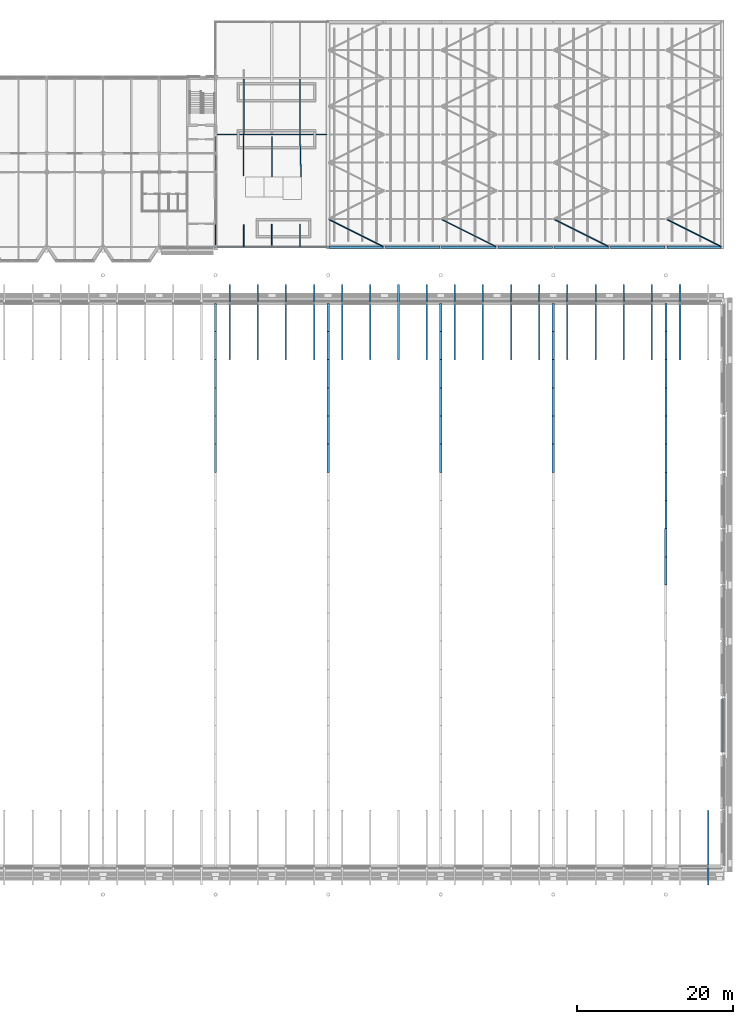
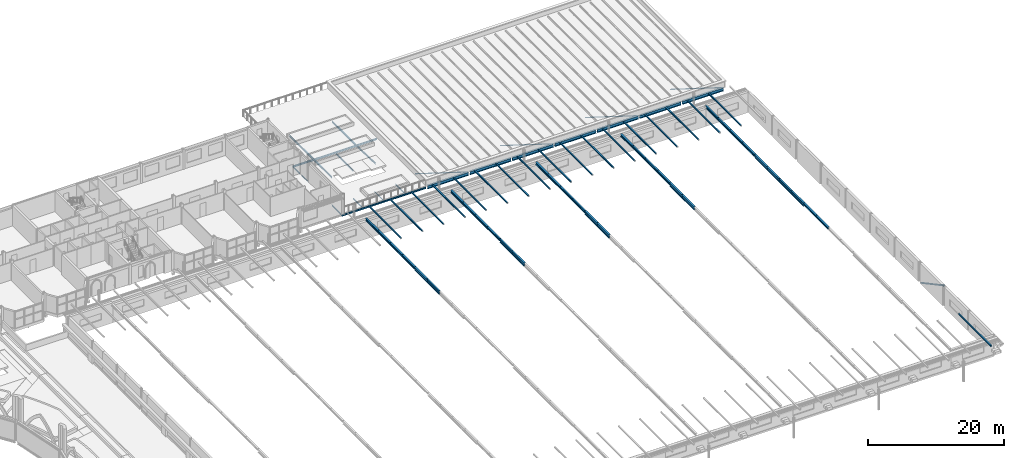
# One storey, part 31 of 110: 57 members, 22 beams.
"""IFC4 building model written with IfcOpenShell, lengths in metres."""

from ifc_helpers import new_model, si_unit, direction, frame, origin, origin_2d, place, context, subcontext, project, spatial, hollow_circle, i_section, extrude, material, material_profile, profile_set, type_object, element, save


model = new_model("IFC4")

# Units and contexts
model_context = context("Model", 3, precision=1e-05, world=origin(), true_north=direction((0.0, 1.0)))
body_context = subcontext(model_context, "Body", "Model", "MODEL_VIEW")
ifc_project = project(units=[si_unit("LENGTHUNIT", "METRE"), si_unit("AREAUNIT", "SQUARE_METRE"), si_unit("VOLUMEUNIT", "CUBIC_METRE"), si_unit("PLANEANGLEUNIT", "RADIAN"), si_unit("MASSUNIT", "GRAM", prefix="KILO")], contexts=[model_context])

# Site, building, storey
site_placement = place(None, origin())
site = spatial("IfcSite", under=ifc_project, at=site_placement, CompositionType="ELEMENT")
building_placement = place(site_placement, origin())
building = spatial("IfcBuilding", under=site, at=building_placement, Name="Kupolbacken Congress Centre", CompositionType="ELEMENT")
storey_placement = place(building_placement, frame((0.0, 0.0, 18.0)))
storey = spatial("IfcBuildingStorey", under=building, at=storey_placement, Name="L05", CompositionType="ELEMENT", Elevation=18.0)

# Beams
ifc_material_1 = material(Name="Steel S355", Category="steel")
ifc_material_profile_1 = material_profile(ifc_material_1, i_section(OverallWidth=0.10009765625, OverallDepth=0.199951171875, WebThickness=0.005615234375, FlangeThickness=0.008544921875, FilletRadius=0.011962890625, at=origin_2d()), Name="IPE 200")
ifc_profile_set_1 = profile_set([ifc_material_profile_1], Name="Steel S355")
beam_type_1 = type_object("IfcBeamType", Name="B01 beam IPE 200", PredefinedType="BEAM", material=ifc_profile_set_1)
beam_1_placement = place(storey_placement, frame((136.800048828125, 122.625, -0.239990234375), z_axis=(0.0, 1.0, 0.0), x_axis=(-1.0, 0.0, 0.0)))
element("IfcBeam", 1, at=beam_1_placement, inside=storey, type_object=beam_type_1, Name="S/floor/T/L05/S076", PredefinedType="BEAM", context=body_context, shape_type="SweptSolid", body=[
    extrude(i_section(OverallWidth=0.10009765625, OverallDepth=0.199951171875, WebThickness=0.005615234375, FlangeThickness=0.008544921875, FilletRadius=0.011962890625, at=origin_2d()), origin(), (0.0, 0.0, 1.0), 2.64990234375),
])
for number, where, z_axis, x_axis, name in (
    (2, (136.800048828125, 132.22509765625, -0.239990234375), (0.0, 1.0, 0.0), (-1.0, 0.0, 0.0), "S/floor/T/L05/S077"),
    (3, (136.800048828125, 134.625, -0.239990234375), (0.0, 1.0, 0.0), (-1.0, 0.0, 0.0), "S/floor/T/L05/S078"),
):
    element("IfcBeam", number, at=place(storey_placement, frame(where, z_axis=z_axis, x_axis=x_axis)), inside=storey, type_object=beam_type_1, Name=name, PredefinedType="BEAM", context=body_context, shape_type="SweptSolid", body=[
        extrude(i_section(OverallWidth=0.10009765625, OverallDepth=0.199951171875, WebThickness=0.005615234375, FlangeThickness=0.008544921875, FilletRadius=0.011962890625, at=origin_2d()), origin(), (0.0, 0.0, 1.0), 1.949951171875),
    ])
beam_2_placement = place(storey_placement, frame((144.0, 122.625, -0.280029296875), z_axis=(0.0, 1.0, 0.0), x_axis=(-1.0, 0.0, 0.0)))
element("IfcBeam", 4, at=beam_2_placement, inside=storey, type_object=beam_type_1, Name="S/floor/BF/L05/G002", PredefinedType="BEAM", context=body_context, shape_type="SweptSolid", body=[
    extrude(i_section(OverallWidth=0.10009765625, OverallDepth=0.199951171875, WebThickness=0.005615234375, FlangeThickness=0.008544921875, FilletRadius=0.011962890625, at=origin_2d()), origin(), (0.0, 0.0, 1.0), 2.675048828125),
])
beam_3_placement = place(storey_placement, frame((140.39990234375, 122.47509765625, -0.280029296875), z_axis=(0.0, 1.0, 0.0), x_axis=(-1.0, 0.0, 0.0)))
element("IfcBeam", 5, at=beam_3_placement, inside=storey, type_object=beam_type_1, Name="S/floor/BF/L05/S013", PredefinedType="BEAM", context=body_context, shape_type="SweptSolid", body=[
    extrude(i_section(OverallWidth=0.10009765625, OverallDepth=0.199951171875, WebThickness=0.005615234375, FlangeThickness=0.008544921875, FilletRadius=0.011962890625, at=origin_2d()), origin(), (0.0, 0.0, 1.0), 2.7998046875),
])
beam_4_placement = place(storey_placement, frame((147.60009765625, 122.47509765625, -0.280029296875), z_axis=(0.0, 1.0, 0.0), x_axis=(-1.0, 0.0, 0.0)))
element("IfcBeam", 6, at=beam_4_placement, inside=storey, type_object=beam_type_1, Name="S/floor/BF/L05/S017", PredefinedType="BEAM", context=body_context, shape_type="SweptSolid", body=[
    extrude(i_section(OverallWidth=0.10009765625, OverallDepth=0.199951171875, WebThickness=0.005615234375, FlangeThickness=0.008544921875, FilletRadius=0.011962890625, at=origin_2d()), origin(), (0.0, 0.0, 1.0), 2.824951171875),
])
ifc_material_2 = material(Name="Steel S355", Category="steel")
ifc_material_profile_2 = material_profile(ifc_material_2, i_section(OverallWidth=0.135009765625, OverallDepth=0.27001953125, WebThickness=0.006591796875, FlangeThickness=0.01025390625, FilletRadius=0.014892578125, at=origin_2d()), Name="IPE 270")
ifc_profile_set_2 = profile_set([ifc_material_profile_2], Name="Steel S355")
beam_type_2 = type_object("IfcBeamType", Name="B03 beam IPE 270", PredefinedType="BEAM", material=ifc_profile_set_2)
beam_5_placement = place(storey_placement, frame((144.0, 131.39990234375, -0.31494140625), z_axis=(0.0, 1.0, 0.0), x_axis=(-1.0, 0.0, 0.0)))
element("IfcBeam", 7, at=beam_5_placement, inside=storey, type_object=beam_type_2, Name="S/floor/BF/L05/G003", PredefinedType="BEAM", context=body_context, shape_type="SweptSolid", body=[
    extrude(i_section(OverallWidth=0.135009765625, OverallDepth=0.27001953125, WebThickness=0.006591796875, FlangeThickness=0.01025390625, FilletRadius=0.014892578125, at=origin_2d()), origin(), (0.0, 0.0, 1.0), 5.175048828125),
])
beam_6_placement = place(storey_placement, frame((140.39990234375, 131.52490234375, -0.31494140625), z_axis=(0.0, 1.0, 0.0), x_axis=(-1.0, 0.0, 0.0)))
element("IfcBeam", 8, at=beam_6_placement, inside=storey, type_object=beam_type_2, Name="S/floor/BF/L05/S014", PredefinedType="BEAM", context=body_context, shape_type="SweptSolid", body=[
    extrude(i_section(OverallWidth=0.135009765625, OverallDepth=0.27001953125, WebThickness=0.006591796875, FlangeThickness=0.01025390625, FilletRadius=0.014892578125, at=origin_2d()), origin(), (0.0, 0.0, 1.0), 5.2001953125),
])
beam_7_placement = place(storey_placement, frame((147.732666015625, 131.39990234375, -0.31494140625), z_axis=(-0.02488684298, 0.999690274558, 0.0), x_axis=(-0.999690274558, -0.02488684298, 0.0)))
element("IfcBeam", 9, at=beam_7_placement, inside=storey, type_object=beam_type_2, Name="S/floor/BF/L05/S018", PredefinedType="BEAM", context=body_context, shape_type="SweptSolid", body=[
    extrude(i_section(OverallWidth=0.135009765625, OverallDepth=0.27001953125, WebThickness=0.006591796875, FlangeThickness=0.01025390625, FilletRadius=0.014892578125, at=origin_2d()), origin(), (0.0, 0.0, 1.0), 5.326904296875),
])
ifc_material_3 = material(Name="Steel S355", Category="steel")
ifc_material_profile_3 = material_profile(ifc_material_3, i_section(OverallWidth=0.14990234375, OverallDepth=0.300048828125, WebThickness=0.007080078125, FlangeThickness=0.0107421875, FilletRadius=0.014892578125, at=origin_2d()), Name="IPE 300")
ifc_profile_set_3 = profile_set([ifc_material_profile_3], Name="Steel S355")
beam_type_3 = type_object("IfcBeamType", Name="B04 beam IPE 300", PredefinedType="BEAM", material=ifc_profile_set_3)
beam_8_placement = place(storey_placement, frame((136.806884765625, 122.39990234375, -0.330078125), z_axis=(1.0, 0.0, 0.0), x_axis=(0.0, 1.0, 0.0)))
element("IfcBeam", 10, at=beam_8_placement, inside=storey, type_object=beam_type_3, Name="S/floor/BF/L05/R005", PredefinedType="BEAM", context=body_context, shape_type="SweptSolid", body=[
    extrude(i_section(OverallWidth=0.14990234375, OverallDepth=0.300048828125, WebThickness=0.007080078125, FlangeThickness=0.0107421875, FilletRadius=0.014892578125, at=origin_2d()), origin(), (0.0, 0.0, 1.0), 7.18603515625),
])
beam_9_placement = place(storey_placement, frame((144.007080078125, 122.39990234375, -0.330078125), z_axis=(1.0, 0.0, 0.0), x_axis=(0.0, 1.0, 0.0)))
element("IfcBeam", 11, at=beam_9_placement, inside=storey, type_object=beam_type_3, Name="S/floor/BF/L05/R006", PredefinedType="BEAM", context=body_context, shape_type="SweptSolid", body=[
    extrude(i_section(OverallWidth=0.14990234375, OverallDepth=0.300048828125, WebThickness=0.007080078125, FlangeThickness=0.0107421875, FilletRadius=0.014892578125, at=origin_2d()), origin(), (0.0, 0.0, 1.0), 7.072998046875),
])
beam_10_placement = place(storey_placement, frame((136.806884765625, 136.800048828125, -0.330078125), z_axis=(1.0, 0.0, 0.0), x_axis=(0.0, 1.0, 0.0)))
element("IfcBeam", 12, at=beam_10_placement, inside=storey, type_object=beam_type_3, Name="S/floor/BF/L05/R007", PredefinedType="BEAM", context=body_context, shape_type="SweptSolid", body=[
    extrude(i_section(OverallWidth=0.14990234375, OverallDepth=0.300048828125, WebThickness=0.007080078125, FlangeThickness=0.0107421875, FilletRadius=0.014892578125, at=origin_2d()), origin(), (0.0, 0.0, 1.0), 7.18603515625),
])
beam_11_placement = place(storey_placement, frame((144.007080078125, 136.800048828125, -0.330078125), z_axis=(1.0, 0.0, 0.0), x_axis=(0.0, 1.0, 0.0)))
element("IfcBeam", 13, at=beam_11_placement, inside=storey, type_object=beam_type_3, Name="S/floor/BF/L05/R008", PredefinedType="BEAM", context=body_context, shape_type="SweptSolid", body=[
    extrude(i_section(OverallWidth=0.14990234375, OverallDepth=0.300048828125, WebThickness=0.007080078125, FlangeThickness=0.0107421875, FilletRadius=0.014892578125, at=origin_2d()), origin(), (0.0, 0.0, 1.0), 7.072998046875),
])
for number, where, z_axis, x_axis, name in (
    (14, (140.39990234375, 136.875, -0.330078125), (0.0, 1.0, 0.0), (-1.0, 0.0, 0.0), "S/floor/BF/L05/S015"),
    (15, (147.60009765625, 136.875, -0.330078125), (0.0, 1.0, 0.0), (-1.0, 0.0, 0.0), "S/floor/BF/L05/S019"),
):
    element("IfcBeam", number, at=place(storey_placement, frame(where, z_axis=z_axis, x_axis=x_axis)), inside=storey, type_object=beam_type_3, Name=name, PredefinedType="BEAM", context=body_context, shape_type="SweptSolid", body=[
        extrude(i_section(OverallWidth=0.14990234375, OverallDepth=0.300048828125, WebThickness=0.007080078125, FlangeThickness=0.0107421875, FilletRadius=0.014892578125, at=origin_2d()), origin(), (0.0, 0.0, 1.0), 7.050048828125),
    ])
ifc_material_4 = material(Name="Steel S355", Category="steel")
ifc_material_profile_4 = material_profile(ifc_material_4, i_section(OverallWidth=0.300048828125, OverallDepth=0.590087890625, WebThickness=0.012939453125, FlangeThickness=0.02490234375, FilletRadius=0.027099609375, at=origin_2d()), Name="HEA 600")
ifc_profile_set_4 = profile_set([ifc_material_profile_4], Name="Steel S355")
beam_type_4 = type_object("IfcBeamType", Name="B21 beam HEA 600", PredefinedType="BEAM", material=ifc_profile_set_4)
for number, where, z_axis, x_axis, name in (
    (16, (151.31005859375, 122.39990234375, -0.294921875), (1.0, 0.0, 0.0), (0.0, 1.0, 0.0), "BR/E00-00"),
    (17, (158.510009765625, 122.39990234375, -0.294921875), (1.0, 0.0, 0.0), (0.0, 1.0, 0.0), "BR/E00-01"),
    (18, (165.7099609375, 122.39990234375, -0.294921875), (1.0, 0.0, 0.0), (0.0, 1.0, 0.0), "BR/E00-02"),
    (19, (172.909912109375, 122.39990234375, -0.294921875), (1.0, 0.0, 0.0), (0.0, 1.0, 0.0), "BR/E00-03"),
    (20, (180.110107421875, 122.39990234375, -0.294921875), (1.0, 0.0, 0.0), (0.0, 1.0, 0.0), "BR/E00-04"),
    (21, (187.31005859375, 122.39990234375, -0.294921875), (1.0, 0.0, 0.0), (0.0, 1.0, 0.0), "BR/E00-05"),
    (22, (194.510009765625, 122.39990234375, -0.294921875), (1.0, 0.0, 0.0), (0.0, 1.0, 0.0), "BR/E00-06"),
):
    element("IfcBeam", number, at=place(storey_placement, frame(where, z_axis=z_axis, x_axis=x_axis)), inside=storey, type_object=beam_type_4, Name=name, PredefinedType="BEAM", context=body_context, shape_type="SweptSolid", body=[
        extrude(i_section(OverallWidth=0.300048828125, OverallDepth=0.590087890625, WebThickness=0.012939453125, FlangeThickness=0.02490234375, FilletRadius=0.027099609375, at=origin_2d()), origin(), (0.0, 0.0, 1.0), 6.97998046875),
    ])

# Members
ifc_material_5 = material(Name="Steel S355", Category="steel")
ifc_material_profile_5 = material_profile(ifc_material_5, i_section(OverallWidth=0.31005859375, OverallDepth=0.340087890625, WebThickness=0.02099609375, FlangeThickness=0.0390625, FilletRadius=0.027099609375, at=origin_2d()), Name="HEM 300")
ifc_profile_set_5 = profile_set([ifc_material_profile_5], Name="Steel S355")
member_type_1 = type_object("IfcMemberType", Name="M01 transfer truss chord HEM 300", PredefinedType="CHORD", material=ifc_profile_set_5)
member_1_placement = place(storey_placement, frame((194.39990234375, 79.199951171875, 3.429931640625), z_axis=(0.0, 1.0, 0.0), x_axis=(-1.0, 0.0, 0.0)))
element("IfcMember", 23, at=member_1_placement, inside=storey, type_object=member_type_1, Name="HT/T8/TC11", PredefinedType="CHORD", context=body_context, shape_type="SweptSolid", body=[
    extrude(i_section(OverallWidth=0.31005859375, OverallDepth=0.340087890625, WebThickness=0.02099609375, FlangeThickness=0.0390625, FilletRadius=0.027099609375, at=origin_2d()), origin(), (0.0, 0.0, 1.0), 3.60009765625),
])
member_2_placement = place(storey_placement, frame((194.39990234375, 82.800048828125, 3.429931640625), z_axis=(0.0, 1.0, 0.0), x_axis=(-1.0, 0.0, 0.0)))
element("IfcMember", 24, at=member_2_placement, inside=storey, type_object=member_type_1, Name="HT/T8/TC12", PredefinedType="CHORD", context=body_context, shape_type="SweptSolid", body=[
    extrude(i_section(OverallWidth=0.31005859375, OverallDepth=0.340087890625, WebThickness=0.02099609375, FlangeThickness=0.0390625, FilletRadius=0.027099609375, at=origin_2d()), origin(), (0.0, 0.0, 1.0), 3.599853515625),
])
ifc_material_6 = material(Name="Steel S355", Category="steel")
ifc_material_profile_6 = material_profile(ifc_material_6, i_section(OverallWidth=0.300048828125, OverallDepth=0.60009765625, WebThickness=0.015380859375, FlangeThickness=0.030029296875, FilletRadius=0.027099609375, at=origin_2d()), Name="HEB 600")
ifc_profile_set_6 = profile_set([ifc_material_profile_6], Name="Steel S355")
member_type_2 = type_object("IfcMemberType", Name="M02 transfer truss chord HEB 600", PredefinedType="CHORD", material=ifc_profile_set_6)
member_3_placement = place(storey_placement, frame((136.800048828125, 93.60009765625, 3.300048828125), z_axis=(0.0, 1.0, 0.0), x_axis=(-1.0, 0.0, 0.0)))
element("IfcMember", 25, at=member_3_placement, inside=storey, type_object=member_type_2, Name="HT/T4/TC15", PredefinedType="CHORD", context=body_context, shape_type="SweptSolid", body=[
    extrude(i_section(OverallWidth=0.300048828125, OverallDepth=0.60009765625, WebThickness=0.015380859375, FlangeThickness=0.030029296875, FilletRadius=0.027099609375, at=origin_2d()), origin(), (0.0, 0.0, 1.0), 3.599853515625),
])
member_4_placement = place(storey_placement, frame((136.800048828125, 97.199951171875, 3.300048828125), z_axis=(0.0, 1.0, 0.0), x_axis=(-1.0, 0.0, 0.0)))
element("IfcMember", 26, at=member_4_placement, inside=storey, type_object=member_type_2, Name="HT/T4/TC16", PredefinedType="CHORD", context=body_context, shape_type="SweptSolid", body=[
    extrude(i_section(OverallWidth=0.300048828125, OverallDepth=0.60009765625, WebThickness=0.015380859375, FlangeThickness=0.030029296875, FilletRadius=0.027099609375, at=origin_2d()), origin(), (0.0, 0.0, 1.0), 3.60009765625),
])
member_5_placement = place(storey_placement, frame((151.199951171875, 93.60009765625, 3.300048828125), z_axis=(0.0, 1.0, 0.0), x_axis=(-1.0, 0.0, 0.0)))
element("IfcMember", 27, at=member_5_placement, inside=storey, type_object=member_type_2, Name="HT/T5/TC15", PredefinedType="CHORD", context=body_context, shape_type="SweptSolid", body=[
    extrude(i_section(OverallWidth=0.300048828125, OverallDepth=0.60009765625, WebThickness=0.015380859375, FlangeThickness=0.030029296875, FilletRadius=0.027099609375, at=origin_2d()), origin(), (0.0, 0.0, 1.0), 3.599853515625),
])
member_6_placement = place(storey_placement, frame((151.199951171875, 97.199951171875, 3.300048828125), z_axis=(0.0, 1.0, 0.0), x_axis=(-1.0, 0.0, 0.0)))
element("IfcMember", 28, at=member_6_placement, inside=storey, type_object=member_type_2, Name="HT/T5/TC16", PredefinedType="CHORD", context=body_context, shape_type="SweptSolid", body=[
    extrude(i_section(OverallWidth=0.300048828125, OverallDepth=0.60009765625, WebThickness=0.015380859375, FlangeThickness=0.030029296875, FilletRadius=0.027099609375, at=origin_2d()), origin(), (0.0, 0.0, 1.0), 3.60009765625),
])
member_7_placement = place(storey_placement, frame((165.60009765625, 93.60009765625, 3.300048828125), z_axis=(0.0, 1.0, 0.0), x_axis=(-1.0, 0.0, 0.0)))
element("IfcMember", 29, at=member_7_placement, inside=storey, type_object=member_type_2, Name="HT/T6/TC15", PredefinedType="CHORD", context=body_context, shape_type="SweptSolid", body=[
    extrude(i_section(OverallWidth=0.300048828125, OverallDepth=0.60009765625, WebThickness=0.015380859375, FlangeThickness=0.030029296875, FilletRadius=0.027099609375, at=origin_2d()), origin(), (0.0, 0.0, 1.0), 3.599853515625),
])
member_8_placement = place(storey_placement, frame((165.60009765625, 97.199951171875, 3.300048828125), z_axis=(0.0, 1.0, 0.0), x_axis=(-1.0, 0.0, 0.0)))
element("IfcMember", 30, at=member_8_placement, inside=storey, type_object=member_type_2, Name="HT/T6/TC16", PredefinedType="CHORD", context=body_context, shape_type="SweptSolid", body=[
    extrude(i_section(OverallWidth=0.300048828125, OverallDepth=0.60009765625, WebThickness=0.015380859375, FlangeThickness=0.030029296875, FilletRadius=0.027099609375, at=origin_2d()), origin(), (0.0, 0.0, 1.0), 3.60009765625),
])
member_9_placement = place(storey_placement, frame((180.0, 93.60009765625, 3.300048828125), z_axis=(0.0, 1.0, 0.0), x_axis=(-1.0, 0.0, 0.0)))
element("IfcMember", 31, at=member_9_placement, inside=storey, type_object=member_type_2, Name="HT/T7/TC15", PredefinedType="CHORD", context=body_context, shape_type="SweptSolid", body=[
    extrude(i_section(OverallWidth=0.300048828125, OverallDepth=0.60009765625, WebThickness=0.015380859375, FlangeThickness=0.030029296875, FilletRadius=0.027099609375, at=origin_2d()), origin(), (0.0, 0.0, 1.0), 3.599853515625),
])
for number, where, z_axis, x_axis, name in (
    (32, (180.0, 97.199951171875, 3.300048828125), (0.0, 1.0, 0.0), (-1.0, 0.0, 0.0), "HT/T7/TC16"),
    (33, (194.39990234375, 86.39990234375, 3.300048828125), (0.0, 1.0, 0.0), (-1.0, 0.0, 0.0), "HT/T8/TC13"),
    (34, (194.39990234375, 90.0, 3.300048828125), (0.0, 1.0, 0.0), (-1.0, 0.0, 0.0), "HT/T8/TC14"),
):
    element("IfcMember", number, at=place(storey_placement, frame(where, z_axis=z_axis, x_axis=x_axis)), inside=storey, type_object=member_type_2, Name=name, PredefinedType="CHORD", context=body_context, shape_type="SweptSolid", body=[
        extrude(i_section(OverallWidth=0.300048828125, OverallDepth=0.60009765625, WebThickness=0.015380859375, FlangeThickness=0.030029296875, FilletRadius=0.027099609375, at=origin_2d()), origin(), (0.0, 0.0, 1.0), 3.60009765625),
    ])
member_10_placement = place(storey_placement, frame((194.39990234375, 93.60009765625, 3.300048828125), z_axis=(0.0, 1.0, 0.0), x_axis=(-1.0, 0.0, 0.0)))
element("IfcMember", 35, at=member_10_placement, inside=storey, type_object=member_type_2, Name="HT/T8/TC15", PredefinedType="CHORD", context=body_context, shape_type="SweptSolid", body=[
    extrude(i_section(OverallWidth=0.300048828125, OverallDepth=0.60009765625, WebThickness=0.015380859375, FlangeThickness=0.030029296875, FilletRadius=0.027099609375, at=origin_2d()), origin(), (0.0, 0.0, 1.0), 3.599853515625),
])
member_11_placement = place(storey_placement, frame((194.39990234375, 97.199951171875, 3.300048828125), z_axis=(0.0, 1.0, 0.0), x_axis=(-1.0, 0.0, 0.0)))
element("IfcMember", 36, at=member_11_placement, inside=storey, type_object=member_type_2, Name="HT/T8/TC16", PredefinedType="CHORD", context=body_context, shape_type="SweptSolid", body=[
    extrude(i_section(OverallWidth=0.300048828125, OverallDepth=0.60009765625, WebThickness=0.015380859375, FlangeThickness=0.030029296875, FilletRadius=0.027099609375, at=origin_2d()), origin(), (0.0, 0.0, 1.0), 3.60009765625),
])
ifc_material_7 = material(Name="Steel S355", Category="steel")
ifc_material_profile_7 = material_profile(ifc_material_7, i_section(OverallWidth=0.300048828125, OverallDepth=0.43994140625, WebThickness=0.011474609375, FlangeThickness=0.02099609375, FilletRadius=0.027099609375, at=origin_2d()), Name="HEA 450")
ifc_profile_set_7 = profile_set([ifc_material_profile_7], Name="Steel S355")
member_type_3 = type_object("IfcMemberType", Name="M03 transfer truss chord HEA 450", PredefinedType="CHORD", material=ifc_profile_set_7)
member_12_placement = place(storey_placement, frame((136.800048828125, 100.800048828125, 3.3798828125), z_axis=(0.0, 1.0, 0.0), x_axis=(-1.0, 0.0, 0.0)))
element("IfcMember", 37, at=member_12_placement, inside=storey, type_object=member_type_3, Name="HT/T4/TC17", PredefinedType="CHORD", context=body_context, shape_type="SweptSolid", body=[
    extrude(i_section(OverallWidth=0.300048828125, OverallDepth=0.43994140625, WebThickness=0.011474609375, FlangeThickness=0.02099609375, FilletRadius=0.027099609375, at=origin_2d()), origin(), (0.0, 0.0, 1.0), 3.599853515625),
])
for number, where, z_axis, x_axis, name in (
    (38, (136.800048828125, 104.39990234375, 3.3798828125), (0.0, 1.0, 0.0), (-1.0, 0.0, 0.0), "HT/T4/TC18"),
    (39, (136.800048828125, 108.0, 3.3798828125), (0.0, 1.0, 0.0), (-1.0, 0.0, 0.0), "HT/T4/TC19"),
):
    element("IfcMember", number, at=place(storey_placement, frame(where, z_axis=z_axis, x_axis=x_axis)), inside=storey, type_object=member_type_3, Name=name, PredefinedType="CHORD", context=body_context, shape_type="SweptSolid", body=[
        extrude(i_section(OverallWidth=0.300048828125, OverallDepth=0.43994140625, WebThickness=0.011474609375, FlangeThickness=0.02099609375, FilletRadius=0.027099609375, at=origin_2d()), origin(), (0.0, 0.0, 1.0), 3.60009765625),
    ])
for number, where, z_axis, x_axis, name in (
    (40, (136.800048828125, 111.60009765625, 3.3798828125), (0.0, 1.0, 0.0), (-1.0, 0.0, 0.0), "HT/T4/TC20"),
    (41, (151.199951171875, 100.800048828125, 3.3798828125), (0.0, 1.0, 0.0), (-1.0, 0.0, 0.0), "HT/T5/TC17"),
):
    element("IfcMember", number, at=place(storey_placement, frame(where, z_axis=z_axis, x_axis=x_axis)), inside=storey, type_object=member_type_3, Name=name, PredefinedType="CHORD", context=body_context, shape_type="SweptSolid", body=[
        extrude(i_section(OverallWidth=0.300048828125, OverallDepth=0.43994140625, WebThickness=0.011474609375, FlangeThickness=0.02099609375, FilletRadius=0.027099609375, at=origin_2d()), origin(), (0.0, 0.0, 1.0), 3.599853515625),
    ])
for number, where, z_axis, x_axis, name in (
    (42, (151.199951171875, 104.39990234375, 3.3798828125), (0.0, 1.0, 0.0), (-1.0, 0.0, 0.0), "HT/T5/TC18"),
    (43, (151.199951171875, 108.0, 3.3798828125), (0.0, 1.0, 0.0), (-1.0, 0.0, 0.0), "HT/T5/TC19"),
):
    element("IfcMember", number, at=place(storey_placement, frame(where, z_axis=z_axis, x_axis=x_axis)), inside=storey, type_object=member_type_3, Name=name, PredefinedType="CHORD", context=body_context, shape_type="SweptSolid", body=[
        extrude(i_section(OverallWidth=0.300048828125, OverallDepth=0.43994140625, WebThickness=0.011474609375, FlangeThickness=0.02099609375, FilletRadius=0.027099609375, at=origin_2d()), origin(), (0.0, 0.0, 1.0), 3.60009765625),
    ])
for number, where, z_axis, x_axis, name in (
    (44, (151.199951171875, 111.60009765625, 3.3798828125), (0.0, 1.0, 0.0), (-1.0, 0.0, 0.0), "HT/T5/TC20"),
    (45, (165.60009765625, 100.800048828125, 3.3798828125), (0.0, 1.0, 0.0), (-1.0, 0.0, 0.0), "HT/T6/TC17"),
):
    element("IfcMember", number, at=place(storey_placement, frame(where, z_axis=z_axis, x_axis=x_axis)), inside=storey, type_object=member_type_3, Name=name, PredefinedType="CHORD", context=body_context, shape_type="SweptSolid", body=[
        extrude(i_section(OverallWidth=0.300048828125, OverallDepth=0.43994140625, WebThickness=0.011474609375, FlangeThickness=0.02099609375, FilletRadius=0.027099609375, at=origin_2d()), origin(), (0.0, 0.0, 1.0), 3.599853515625),
    ])
for number, where, z_axis, x_axis, name in (
    (46, (165.60009765625, 104.39990234375, 3.3798828125), (0.0, 1.0, 0.0), (-1.0, 0.0, 0.0), "HT/T6/TC18"),
    (47, (165.60009765625, 108.0, 3.3798828125), (0.0, 1.0, 0.0), (-1.0, 0.0, 0.0), "HT/T6/TC19"),
):
    element("IfcMember", number, at=place(storey_placement, frame(where, z_axis=z_axis, x_axis=x_axis)), inside=storey, type_object=member_type_3, Name=name, PredefinedType="CHORD", context=body_context, shape_type="SweptSolid", body=[
        extrude(i_section(OverallWidth=0.300048828125, OverallDepth=0.43994140625, WebThickness=0.011474609375, FlangeThickness=0.02099609375, FilletRadius=0.027099609375, at=origin_2d()), origin(), (0.0, 0.0, 1.0), 3.60009765625),
    ])
for number, where, z_axis, x_axis, name in (
    (48, (165.60009765625, 111.60009765625, 3.3798828125), (0.0, 1.0, 0.0), (-1.0, 0.0, 0.0), "HT/T6/TC20"),
    (49, (180.0, 100.800048828125, 3.3798828125), (0.0, 1.0, 0.0), (-1.0, 0.0, 0.0), "HT/T7/TC17"),
):
    element("IfcMember", number, at=place(storey_placement, frame(where, z_axis=z_axis, x_axis=x_axis)), inside=storey, type_object=member_type_3, Name=name, PredefinedType="CHORD", context=body_context, shape_type="SweptSolid", body=[
        extrude(i_section(OverallWidth=0.300048828125, OverallDepth=0.43994140625, WebThickness=0.011474609375, FlangeThickness=0.02099609375, FilletRadius=0.027099609375, at=origin_2d()), origin(), (0.0, 0.0, 1.0), 3.599853515625),
    ])
for number, where, z_axis, x_axis, name in (
    (50, (180.0, 104.39990234375, 3.3798828125), (0.0, 1.0, 0.0), (-1.0, 0.0, 0.0), "HT/T7/TC18"),
    (51, (180.0, 108.0, 3.3798828125), (0.0, 1.0, 0.0), (-1.0, 0.0, 0.0), "HT/T7/TC19"),
):
    element("IfcMember", number, at=place(storey_placement, frame(where, z_axis=z_axis, x_axis=x_axis)), inside=storey, type_object=member_type_3, Name=name, PredefinedType="CHORD", context=body_context, shape_type="SweptSolid", body=[
        extrude(i_section(OverallWidth=0.300048828125, OverallDepth=0.43994140625, WebThickness=0.011474609375, FlangeThickness=0.02099609375, FilletRadius=0.027099609375, at=origin_2d()), origin(), (0.0, 0.0, 1.0), 3.60009765625),
    ])
for number, where, z_axis, x_axis, name in (
    (52, (180.0, 111.60009765625, 3.3798828125), (0.0, 1.0, 0.0), (-1.0, 0.0, 0.0), "HT/T7/TC20"),
    (53, (194.39990234375, 100.800048828125, 3.3798828125), (0.0, 1.0, 0.0), (-1.0, 0.0, 0.0), "HT/T8/TC17"),
):
    element("IfcMember", number, at=place(storey_placement, frame(where, z_axis=z_axis, x_axis=x_axis)), inside=storey, type_object=member_type_3, Name=name, PredefinedType="CHORD", context=body_context, shape_type="SweptSolid", body=[
        extrude(i_section(OverallWidth=0.300048828125, OverallDepth=0.43994140625, WebThickness=0.011474609375, FlangeThickness=0.02099609375, FilletRadius=0.027099609375, at=origin_2d()), origin(), (0.0, 0.0, 1.0), 3.599853515625),
    ])
for number, where, z_axis, x_axis, name in (
    (54, (194.39990234375, 104.39990234375, 3.3798828125), (0.0, 1.0, 0.0), (-1.0, 0.0, 0.0), "HT/T8/TC18"),
    (55, (194.39990234375, 108.0, 3.3798828125), (0.0, 1.0, 0.0), (-1.0, 0.0, 0.0), "HT/T8/TC19"),
):
    element("IfcMember", number, at=place(storey_placement, frame(where, z_axis=z_axis, x_axis=x_axis)), inside=storey, type_object=member_type_3, Name=name, PredefinedType="CHORD", context=body_context, shape_type="SweptSolid", body=[
        extrude(i_section(OverallWidth=0.300048828125, OverallDepth=0.43994140625, WebThickness=0.011474609375, FlangeThickness=0.02099609375, FilletRadius=0.027099609375, at=origin_2d()), origin(), (0.0, 0.0, 1.0), 3.60009765625),
    ])
member_13_placement = place(storey_placement, frame((194.39990234375, 111.60009765625, 3.3798828125), z_axis=(0.0, 1.0, 0.0), x_axis=(-1.0, 0.0, 0.0)))
element("IfcMember", 56, at=member_13_placement, inside=storey, type_object=member_type_3, Name="HT/T8/TC20", PredefinedType="CHORD", context=body_context, shape_type="SweptSolid", body=[
    extrude(i_section(OverallWidth=0.300048828125, OverallDepth=0.43994140625, WebThickness=0.011474609375, FlangeThickness=0.02099609375, FilletRadius=0.027099609375, at=origin_2d()), origin(), (0.0, 0.0, 1.0), 3.599853515625),
])
ifc_material_8 = material(Name="Steel S355", Category="steel")
ifc_material_profile_8 = material_profile(ifc_material_8, hollow_circle(Radius=0.136474609375, WallThickness=0.012451171875, at=origin_2d()), Name="CHS 273 x 12.5")
ifc_profile_set_8 = profile_set([ifc_material_profile_8], Name="Steel S355")
member_type_4 = type_object("IfcMemberType", Name="M08 brace CHS 273 x 12.5", PredefinedType="BRACE", material=ifc_profile_set_8)
member_14_placement = place(storey_placement, frame((201.60009765625, 64.554931640625, 0.0), z_axis=(0.0, -0.881180466795, 0.472780059793), x_axis=(1.0, 0.0, 0.0)))
element("IfcMember", 57, at=member_14_placement, inside=storey, type_object=member_type_4, Name="S/brace/E/03/06", PredefinedType="BRACE", context=body_context, shape_type="SweptSolid", body=[
    extrude(hollow_circle(Radius=0.136474609375, WallThickness=0.012451171875, at=origin_2d()), origin(), (0.0, 0.0, 1.0), 7.61474609375),
])
ifc_material_9 = material(Name="Steel S355", Category="steel")
ifc_material_profile_9 = material_profile(ifc_material_9, i_section(OverallWidth=0.199951171875, OverallDepth=0.18994140625, WebThickness=0.006591796875, FlangeThickness=0.010009765625, FilletRadius=0.01806640625, at=origin_2d()), Name="HEA 200")
ifc_profile_set_9 = profile_set([ifc_material_profile_9], Name="Steel S355")
member_type_5 = type_object("IfcMemberType", Name="M14 member HEA 200", PredefinedType="BRACE", material=ifc_profile_set_9)
member_15_placement = place(storey_placement, frame((199.800048828125, 50.39990234375, 3.68505859375), z_axis=(0.0, -1.0, 0.0), x_axis=(1.0, 0.0, 0.0)))
element("IfcMember", 58, at=member_15_placement, inside=storey, type_object=member_type_5, Name="HE/S32", PredefinedType="BRACE", context=body_context, shape_type="SweptSolid", body=[
    extrude(i_section(OverallWidth=0.199951171875, OverallDepth=0.18994140625, WebThickness=0.006591796875, FlangeThickness=0.010009765625, FilletRadius=0.01806640625, at=origin_2d()), origin(), (0.0, 0.0, 1.0), 9.599853515625),
])
for number, where, z_axis, x_axis, name in (
    (59, (138.60009765625, 108.0, 3.68505859375), (0.0, 1.0, 0.0), (-1.0, 0.0, 0.0), "HE/N15"),
    (60, (142.199951171875, 108.0, 3.68505859375), (0.0, 1.0, 0.0), (-1.0, 0.0, 0.0), "HE/N16"),
    (61, (145.800048828125, 108.0, 3.68505859375), (0.0, 1.0, 0.0), (-1.0, 0.0, 0.0), "HE/N17"),
    (62, (149.39990234375, 108.0, 3.68505859375), (0.0, 1.0, 0.0), (-1.0, 0.0, 0.0), "HE/N18"),
    (63, (153.0, 108.0, 3.68505859375), (0.0, 1.0, 0.0), (-1.0, 0.0, 0.0), "HE/N19"),
    (64, (156.60009765625, 108.0, 3.68505859375), (0.0, 1.0, 0.0), (-1.0, 0.0, 0.0), "HE/N20"),
    (65, (160.199951171875, 108.0, 3.68505859375), (0.0, 1.0, 0.0), (-1.0, 0.0, 0.0), "HE/N21"),
    (66, (163.800048828125, 108.0, 3.68505859375), (0.0, 1.0, 0.0), (-1.0, 0.0, 0.0), "HE/N22"),
    (67, (167.39990234375, 108.0, 3.68505859375), (0.0, 1.0, 0.0), (-1.0, 0.0, 0.0), "HE/N23"),
    (68, (171.0, 108.0, 3.68505859375), (0.0, 1.0, 0.0), (-1.0, 0.0, 0.0), "HE/N24"),
    (69, (174.60009765625, 108.0, 3.68505859375), (0.0, 1.0, 0.0), (-1.0, 0.0, 0.0), "HE/N25"),
    (70, (178.199951171875, 108.0, 3.68505859375), (0.0, 1.0, 0.0), (-1.0, 0.0, 0.0), "HE/N26"),
    (71, (181.800048828125, 108.0, 3.68505859375), (0.0, 1.0, 0.0), (-1.0, 0.0, 0.0), "HE/N27"),
    (72, (185.39990234375, 108.0, 3.68505859375), (0.0, 1.0, 0.0), (-1.0, 0.0, 0.0), "HE/N28"),
    (73, (189.0, 108.0, 3.68505859375), (0.0, 1.0, 0.0), (-1.0, 0.0, 0.0), "HE/N29"),
    (74, (192.60009765625, 108.0, 3.68505859375), (0.0, 1.0, 0.0), (-1.0, 0.0, 0.0), "HE/N30"),
    (75, (196.199951171875, 108.0, 3.68505859375), (0.0, 1.0, 0.0), (-1.0, 0.0, 0.0), "HE/N31"),
):
    element("IfcMember", number, at=place(storey_placement, frame(where, z_axis=z_axis, x_axis=x_axis)), inside=storey, type_object=member_type_5, Name=name, PredefinedType="BRACE", context=body_context, shape_type="SweptSolid", body=[
        extrude(i_section(OverallWidth=0.199951171875, OverallDepth=0.18994140625, WebThickness=0.006591796875, FlangeThickness=0.010009765625, FilletRadius=0.01806640625, at=origin_2d()), origin(), (0.0, 0.0, 1.0), 9.60009765625),
    ])
ifc_material_10 = material(Name="Steel S355", Category="steel")
ifc_material_profile_10 = material_profile(ifc_material_10, hollow_circle(Radius=0.084228515625, WallThickness=0.008056640625, at=origin_2d()), Name="CHS 168.3 x 8")
ifc_profile_set_10 = profile_set([ifc_material_profile_10], Name="Steel S355")
member_type_6 = type_object("IfcMemberType", Name="M21 brace CHS 168.3 x 8", PredefinedType="BRACE", material=ifc_profile_set_10)
for number, where, z_axis, x_axis, name in (
    (76, (158.301513671875, 122.44921875, -0.084228515625), (-0.894420954755, 0.447226067772, 0.0), (-0.447226067772, -0.894420954755, 0.0), "BR/RB/01-00"),
    (77, (172.70166015625, 122.44921875, -0.084228515625), (-0.894420954755, 0.447226067772, 0.0), (-0.447226067772, -0.894420954755, 0.0), "BR/RB/03-00"),
    (78, (187.1015625, 122.44921875, -0.084228515625), (-0.894420954755, 0.447226067772, 0.0), (-0.447226067772, -0.894420954755, 0.0), "BR/RB/05-00"),
):
    element("IfcMember", number, at=place(storey_placement, frame(where, z_axis=z_axis, x_axis=x_axis)), inside=storey, type_object=member_type_6, Name=name, PredefinedType="BRACE", context=body_context, shape_type="SweptSolid", body=[
        extrude(hollow_circle(Radius=0.084228515625, WallThickness=0.008056640625, at=origin_2d()), origin(), (0.0, 0.0, 1.0), 7.829833984375),
    ])
member_16_placement = place(storey_placement, frame((201.501708984375, 122.44921875, -0.084228515625), z_axis=(-0.894427191, 0.4472135955, 0.0), x_axis=(-0.4472135955, -0.894427191, 0.0)))
element("IfcMember", 79, at=member_16_placement, inside=storey, type_object=member_type_6, Name="BR/RB/07-00", PredefinedType="BRACE", context=body_context, shape_type="SweptSolid", body=[
    extrude(hollow_circle(Radius=0.084228515625, WallThickness=0.008056640625, at=origin_2d()), origin(), (0.0, 0.0, 1.0), 7.830078125),
])

save(model, "model.ifc")
